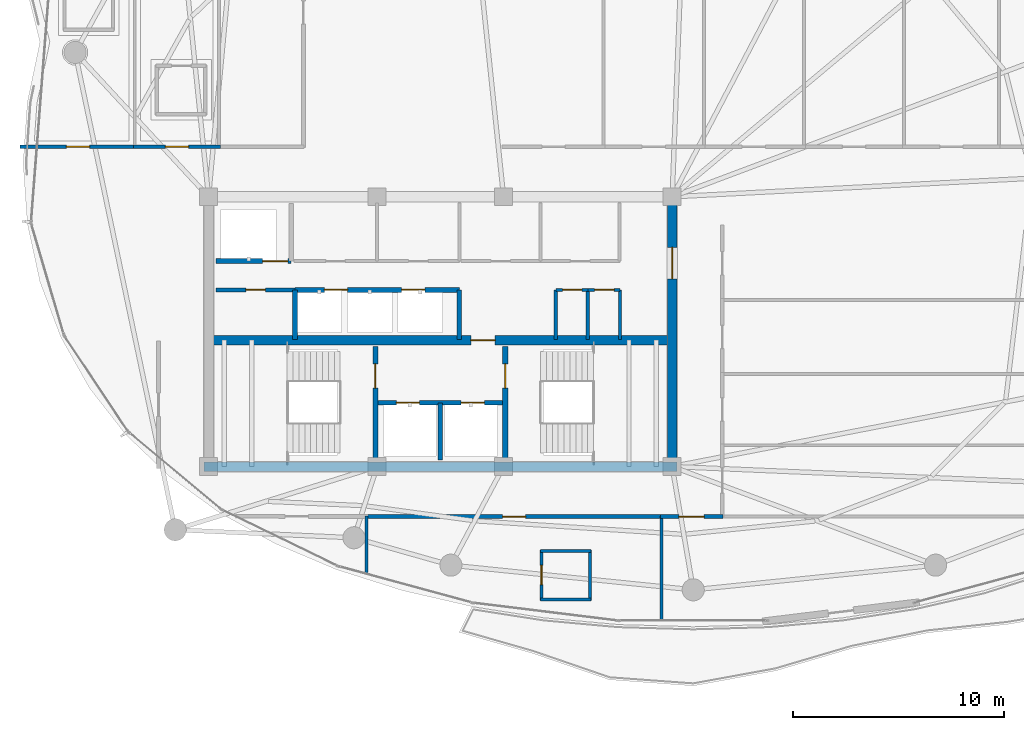
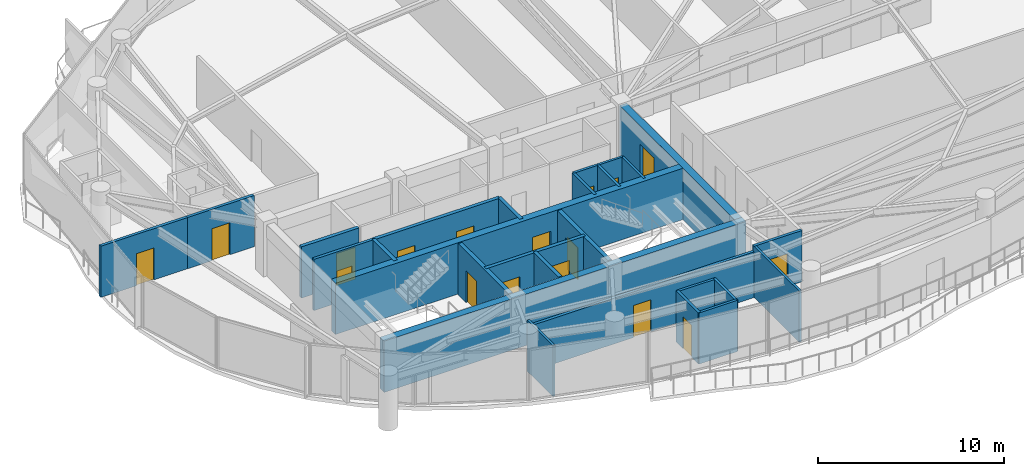
# One storey, part 25 of 31: 27 walls, 17 doors, 17 openings.
"""IFC4 building model written with IfcOpenShell, lengths in metres."""

from ifc_helpers import new_model, si_unit, direction, frame, frame_2d, origin, place, context, subcontext, project, spatial, rectangle, extrude, material, layer, layer_set, type_object, element, fill, save


model = new_model("IFC4")

# Units and contexts
model_context = context("Model", 3, precision=1e-05, world=origin(), true_north=direction((0.0, 1.0)))
body_context = subcontext(model_context, "Body", "Model", "MODEL_VIEW")
ifc_project = project(units=[si_unit("LENGTHUNIT", "METRE"), si_unit("AREAUNIT", "SQUARE_METRE"), si_unit("VOLUMEUNIT", "CUBIC_METRE"), si_unit("PLANEANGLEUNIT", "RADIAN"), si_unit("MASSUNIT", "GRAM", prefix="KILO")], contexts=[model_context])

# Site, building, storey
site_placement = place(None, origin())
site = spatial("IfcSite", under=ifc_project, at=site_placement, CompositionType="ELEMENT")
building_placement = place(site_placement, origin())
building = spatial("IfcBuilding", under=site, at=building_placement, Name="Kazevale Care Tower and Concert Hall", CompositionType="ELEMENT")
storey_placement = place(building_placement, frame((0.0, 0.0, 206.39990234375)))
storey = spatial("IfcBuildingStorey", under=building, at=storey_placement, Name="L54", CompositionType="ELEMENT", Elevation=206.39990234375)

# Wall
ifc_material_1 = material(Name="Acoustic Gypsum on Steel Stud", Category="steel")
ifc_layer_1 = layer(ifc_material_1, 0.139892578125)
ifc_layer_set_1 = layer_set([ifc_layer_1], Name="Acoustic Gypsum on Steel Stud")
wall_type_1 = type_object("IfcWallType", Name="Acoustic Care & Suite Partition 140", PredefinedType="PARTITIONING", material=ifc_layer_set_1)
wall_1_placement = place(storey_placement, frame((41.52001953125, 29.6201171875, 0.0), z_axis=(0.0, 0.0, 1.0), x_axis=(0.0, 1.0, 0.0)))
element("IfcWall", 1, at=wall_1_placement, inside=storey, type_object=wall_type_1, Name="wall:L54:ka_ee", PredefinedType="PARTITIONING", context=body_context, shape_type="SweptSolid", body=[
    extrude(rectangle(XDim=2.35986328125, YDim=0.139892578125, at=frame_2d((1.179931640625, 0.0))), origin(), (0.0, 0.0, 1.0), 3.360107421875),
])

# Wall, opening, door
wall_2_placement = place(storey_placement, frame((40.0, 31.97998046875, 0.0), z_axis=(0.0, 0.0, 1.0), x_axis=(1.0, 0.0, 0.0)))
wall_2 = element("IfcWall", 2, at=wall_2_placement, inside=storey, type_object=wall_type_1, Name="wall:L54:ka_en2", PredefinedType="PARTITIONING", context=body_context, shape_type="SweptSolid", body=[
    extrude(rectangle(XDim=1.52001953125, YDim=0.139892578125, at=frame_2d((0.760009765625, 0.0))), origin(), (0.0, 0.0, 1.0), 3.360107421875),
])
opening_1_placement = place(wall_2_placement, frame((0.320068359375, 0.0, 0.0)))
opening_1 = element("IfcOpeningElement", 3, at=opening_1_placement, cuts=wall_2, Name="Opening ID-900", PredefinedType="OPENING", context=body_context, shape_type="SweptSolid", body=[
    extrude(rectangle(XDim=0.919921875, YDim=2.10009765625, at=frame_2d((0.4599609375, 1.050048828125))), frame((0.0, 0.079833984375, 0.0), z_axis=(0.0, -1.0, 0.0), x_axis=(1.0, 0.0, 0.0)), (0.0, 0.0, 1.0), 0.159912109375),
])
ifc_material_2 = material(Name="Oak Timber Fire Leaf", Category="wood")
door_type_1 = type_object("IfcDoorType", Name="Bathroom & Service Door 920x2100", OperationType="NOTDEFINED", PredefinedType="DOOR", material=ifc_material_2)
door_1_placement = place(opening_1_placement, origin())
door_1 = element("IfcDoor", 4, at=door_1_placement, inside=storey, type_object=door_type_1, Name="door:L54:d_kae2", OperationType="SINGLE_SWING_RIGHT", OverallHeight=2.10009765625, OverallWidth=0.919921875, PredefinedType="DOOR", context=body_context, shape_type="SweptSolid", body=[
    extrude(rectangle(XDim=0.919921875, YDim=2.10009765625, at=frame_2d((0.4599609375, 1.050048828125))), frame((0.0, 0.02490234375, 0.0), z_axis=(0.0, -1.0, 0.0), x_axis=(1.0, 0.0, 0.0)), (0.0, 0.0, 1.0), 0.050048828125),
])
fill(opening_1, door_1)

# Walls
wall_3_placement = place(storey_placement, frame((29.5, 21.2548828125, 0.0), z_axis=(0.0, 0.0, 1.0), x_axis=(0.0, -1.0, 0.0)))
element("IfcWall", 5, at=wall_3_placement, inside=storey, type_object=wall_type_1, Name="wall:L54:auto_031", PredefinedType="PARTITIONING", context=body_context, shape_type="SweptSolid", body=[
    extrude(rectangle(XDim=2.7412109375, YDim=0.139892578125, at=frame_2d((1.37060546875, 0.0))), origin(), (0.0, 0.0, 1.0), 3.360107421875),
])
wall_4_placement = place(storey_placement, frame((43.5, 21.2548828125, 0.0), z_axis=(0.0, 0.0, 1.0), x_axis=(0.0, -1.0, 0.0)))
element("IfcWall", 6, at=wall_4_placement, inside=storey, type_object=wall_type_1, Name="wall:L54:auto_032", PredefinedType="PARTITIONING", context=body_context, shape_type="SweptSolid", body=[
    extrude(rectangle(XDim=4.9599609375, YDim=0.139892578125, at=frame_2d((2.47998046875, 0.0))), origin(), (0.0, 0.0, 1.0), 3.360107421875),
])
ifc_material_3 = material(Name="Concrete C50", Category="concrete")
ifc_layer_2 = layer(ifc_material_3, 0.449951171875)
ifc_layer_set_2 = layer_set([ifc_layer_2], Name="Concrete C50")
wall_type_2 = type_object("IfcWallType", Name="Core Shear Wall 450 C50", PredefinedType="SHEAR", material=ifc_layer_set_2)
wall_5_placement = place(storey_placement, frame((21.77490234375, 23.60009765625, 0.0), z_axis=(0.0, 0.0, 1.0), x_axis=(1.0, 0.0, 0.0)))
element("IfcWall", 7, at=wall_5_placement, inside=storey, type_object=wall_type_2, Name="wall:L54:core:S", PredefinedType="SHEAR", context=body_context, shape_type="SweptSolid", body=[
    extrude(rectangle(XDim=22.4501953125, YDim=0.449951171875, at=frame_2d((11.22509765625, 0.0))), origin(), (0.0, 0.0, 1.0), 3.360107421875),
])

# Wall, opening, door
wall_6_placement = place(storey_placement, frame((44.0, 23.824951171875, 0.0), z_axis=(0.0, 0.0, 1.0), x_axis=(0.0, 1.0, 0.0)))
wall_6 = element("IfcWall", 8, at=wall_6_placement, inside=storey, type_object=wall_type_2, Name="wall:L54:core:E", PredefinedType="SHEAR", context=body_context, shape_type="SweptSolid", body=[
    extrude(rectangle(XDim=12.35009765625, YDim=0.449951171875, at=frame_2d((6.175048828125, 0.0))), origin(), (0.0, 0.0, 1.0), 3.360107421875),
])
opening_2_placement = place(wall_6_placement, frame((8.675048828125, 0.0, 0.0)))
opening_2 = element("IfcOpeningElement", 9, at=opening_2_placement, cuts=wall_6, Name="Opening FD-60D", PredefinedType="OPENING", context=body_context, shape_type="SweptSolid", body=[
    extrude(rectangle(XDim=1.5, YDim=2.14990234375, at=frame_2d((0.75, 1.074951171875))), frame((0.0, 0.23486328125, 0.0), z_axis=(0.0, -1.0, 0.0), x_axis=(1.0, 0.0, 0.0)), (0.0, 0.0, 1.0), 0.469970703125),
])
door_type_2 = type_object("IfcDoorType", Name="Double Lobby & Auditorium Fire Door 1500x2150", OperationType="NOTDEFINED", PredefinedType="DOOR", material=ifc_material_2)
door_2_placement = place(opening_2_placement, origin())
door_2 = element("IfcDoor", 10, at=door_2_placement, inside=storey, type_object=door_type_2, Name="door:L54:core_east_out", OperationType="DOUBLE_DOOR_SINGLE_SWING", OverallHeight=2.14990234375, OverallWidth=1.5, PredefinedType="DOOR", context=body_context, shape_type="SweptSolid", body=[
    extrude(rectangle(XDim=1.5, YDim=2.14990234375, at=frame_2d((0.75, 1.074951171875))), frame((0.0, 0.02490234375, 0.0), z_axis=(0.0, -1.0, 0.0), x_axis=(1.0, 0.0, 0.0)), (0.0, 0.0, 1.0), 0.050048828125),
])
fill(opening_2, door_2)

wall_7_placement = place(storey_placement, frame((22.22509765625, 29.60009765625, 0.0), z_axis=(0.0, 0.0, 1.0), x_axis=(1.0, 0.0, 0.0)))
wall_7 = element("IfcWall", 11, at=wall_7_placement, inside=storey, type_object=wall_type_2, Name="wall:L54:core:M", PredefinedType="SHEAR", context=body_context, shape_type="SweptSolid", body=[
    extrude(rectangle(XDim=21.5498046875, YDim=0.449951171875, at=frame_2d((10.77490234375, 0.0))), origin(), (0.0, 0.0, 1.0), 3.360107421875),
])
opening_3_placement = place(wall_7_placement, frame((12.22509765625, 0.0, 0.0)))
opening_3 = element("IfcOpeningElement", 12, at=opening_3_placement, cuts=wall_7, Name="Opening FD-90", PredefinedType="OPENING", context=body_context, shape_type="SweptSolid", body=[
    extrude(rectangle(XDim=1.14990234375, YDim=2.10009765625, at=frame_2d((0.574951171875, 1.050048828125))), frame((0.0, 0.23486328125, 0.0), z_axis=(0.0, -1.0, 0.0), x_axis=(1.0, 0.0, 0.0)), (0.0, 0.0, 1.0), 0.469970703125),
])
ifc_material_4 = material(Name="Steel ASTM A572 Gr 50", Category="steel")
door_type_3 = type_object("IfcDoorType", Name="Pressurized Stair & Lobby Fire Door 1150x2100", OperationType="NOTDEFINED", PredefinedType="DOOR", material=ifc_material_4)
door_3_placement = place(opening_3_placement, origin())
door_3 = element("IfcDoor", 13, at=door_3_placement, inside=storey, type_object=door_type_3, Name="door:L54:ff_to_pax", OperationType="SINGLE_SWING_LEFT", OverallHeight=2.10009765625, OverallWidth=1.14990234375, PredefinedType="DOOR", context=body_context, shape_type="SweptSolid", body=[
    extrude(rectangle(XDim=1.14990234375, YDim=2.10009765625, at=frame_2d((0.574951171875, 1.050048828125))), frame((0.0, 0.02490234375, 0.0), z_axis=(0.0, -1.0, 0.0), x_axis=(1.0, 0.0, 0.0)), (0.0, 0.0, 1.0), 0.050048828125),
])
fill(opening_3, door_3)

# Wall, openings, doors
ifc_material_5 = material(Name="Concrete C40", Category="concrete")
ifc_layer_3 = layer(ifc_material_5, 0.219970703125)
ifc_layer_set_3 = layer_set([ifc_layer_3], Name="Concrete C40")
wall_type_3 = type_object("IfcWallType", Name="Elevator Hoistway Shaft Wall 220", PredefinedType="SOLIDWALL", material=ifc_layer_set_3)
wall_8_placement = place(storey_placement, frame((29.919921875, 26.6201171875, 0.0), z_axis=(0.0, 0.0, 1.0), x_axis=(1.0, 0.0, 0.0)))
wall_8 = element("IfcWall", 14, at=wall_8_placement, inside=storey, type_object=wall_type_3, Name="wall:L54:c_ffl_n", PredefinedType="SOLIDWALL", context=body_context, shape_type="SweptSolid", body=[
    extrude(rectangle(XDim=6.16015625, YDim=0.219970703125, at=frame_2d((3.080078125, 0.0))), origin(), (0.0, 0.0, 1.0), 3.360107421875),
])
opening_4_placement = place(wall_8_placement, frame((0.989990234375, 0.0, 0.0)))
opening_4 = element("IfcOpeningElement", 15, at=opening_4_placement, cuts=wall_8, Name="Opening LD-FF", PredefinedType="OPENING", context=body_context, shape_type="SweptSolid", body=[
    extrude(rectangle(XDim=1.10009765625, YDim=2.10009765625, at=frame_2d((0.550048828125, 1.050048828125))), frame((0.0, 0.119873046875, 0.0), z_axis=(0.0, -1.0, 0.0), x_axis=(1.0, 0.0, 0.0)), (0.0, 0.0, 1.0), 0.239990234375),
])
opening_5_placement = place(wall_8_placement, frame((4.070068359375, 0.0, 0.0)))
opening_5 = element("IfcOpeningElement", 16, at=opening_5_placement, cuts=wall_8, Name="Opening LD-FF", PredefinedType="OPENING", context=body_context, shape_type="SweptSolid", body=[
    extrude(rectangle(XDim=1.10009765625, YDim=2.10009765625, at=frame_2d((0.550048828125, 1.050048828125))), frame((0.0, 0.119873046875, 0.0), z_axis=(0.0, -1.0, 0.0), x_axis=(1.0, 0.0, 0.0)), (0.0, 0.0, 1.0), 0.239990234375),
])
ifc_material_6 = material(Name="Stainless Steel 316", Category="steel")
door_type_4 = type_object("IfcDoorType", Name="Emergency Lift Sliding Landing Door 1100x2100", OperationType="NOTDEFINED", PredefinedType="DOOR", material=ifc_material_6)
door_4_placement = place(opening_4_placement, origin())
door_4 = element("IfcDoor", 17, at=door_4_placement, inside=storey, type_object=door_type_4, Name="door:L54:ld_ffl1", OperationType="SLIDING_TO_LEFT", OverallHeight=2.10009765625, OverallWidth=1.10009765625, PredefinedType="DOOR", context=body_context, shape_type="SweptSolid", body=[
    extrude(rectangle(XDim=1.10009765625, YDim=2.10009765625, at=frame_2d((0.550048828125, 1.050048828125))), frame((0.0, 0.02490234375, 0.0), z_axis=(0.0, -1.0, 0.0), x_axis=(1.0, 0.0, 0.0)), (0.0, 0.0, 1.0), 0.050048828125),
])
fill(opening_4, door_4)
door_5_placement = place(opening_5_placement, origin())
door_5 = element("IfcDoor", 18, at=door_5_placement, inside=storey, type_object=door_type_4, Name="door:L54:ld_ffl2", OperationType="SLIDING_TO_RIGHT", OverallHeight=2.10009765625, OverallWidth=1.10009765625, PredefinedType="DOOR", context=body_context, shape_type="SweptSolid", body=[
    extrude(rectangle(XDim=1.10009765625, YDim=2.10009765625, at=frame_2d((0.550048828125, 1.050048828125))), frame((0.0, 0.02490234375, 0.0), z_axis=(0.0, -1.0, 0.0), x_axis=(1.0, 0.0, 0.0)), (0.0, 0.0, 1.0), 0.050048828125),
])
fill(opening_5, door_5)

# Wall
wall_9_placement = place(storey_placement, frame((33.0, 23.89990234375, 0.0), z_axis=(0.0, 0.0, 1.0), x_axis=(0.0, 1.0, 0.0)))
element("IfcWall", 19, at=wall_9_placement, inside=storey, type_object=wall_type_3, Name="wall:L54:c_ffl_m", PredefinedType="SOLIDWALL", context=body_context, shape_type="SweptSolid", body=[
    extrude(rectangle(XDim=2.72021484375, YDim=0.219970703125, at=frame_2d((1.360107421875, 0.0))), origin(), (0.0, 0.0, 1.0), 3.360107421875),
])

# Wall, opening, door
wall_10_placement = place(storey_placement, frame((22.35009765625, 33.35009765625, 0.0), z_axis=(0.0, 0.0, 1.0), x_axis=(1.0, 0.0, 0.0)))
wall_10 = element("IfcWall", 20, at=wall_10_placement, inside=storey, type_object=wall_type_3, Name="wall:L54:c_svl_s", PredefinedType="SOLIDWALL", context=body_context, shape_type="SweptSolid", body=[
    extrude(rectangle(XDim=3.56982421875, YDim=0.219970703125, at=frame_2d((1.784912109375, 0.0))), origin(), (0.0, 0.0, 1.0), 3.360107421875),
])
opening_6_placement = place(wall_10_placement, frame((2.212890625, 0.0, 0.0)))
opening_6 = element("IfcOpeningElement", 21, at=opening_6_placement, cuts=wall_10, Name="Opening LD-SV", PredefinedType="OPENING", context=body_context, shape_type="SweptSolid", body=[
    extrude(rectangle(XDim=1.199951171875, YDim=2.10009765625, at=frame_2d((0.60009765625, 1.050048828125))), frame((0.0, 0.119873046875, 0.0), z_axis=(0.0, -1.0, 0.0), x_axis=(1.0, 0.0, 0.0)), (0.0, 0.0, 1.0), 0.239990234375),
])
door_type_5 = type_object("IfcDoorType", Name="Service Lift Sliding Landing Door 1200x2100", OperationType="NOTDEFINED", PredefinedType="DOOR", material=ifc_material_6)
door_6_placement = place(opening_6_placement, origin())
door_6 = element("IfcDoor", 22, at=door_6_placement, inside=storey, type_object=door_type_5, Name="door:L54:ld_svl1", OperationType="SLIDING_TO_LEFT", OverallHeight=2.10009765625, OverallWidth=1.199951171875, PredefinedType="DOOR", context=body_context, shape_type="SweptSolid", body=[
    extrude(rectangle(XDim=1.199951171875, YDim=2.10009765625, at=frame_2d((0.60009765625, 1.050048828125))), frame((0.0, 0.02490234375, 0.0), z_axis=(0.0, -1.0, 0.0), x_axis=(1.0, 0.0, 0.0)), (0.0, 0.0, 1.0), 0.050048828125),
])
fill(opening_6, door_6)

# Wall
wall_11_placement = place(storey_placement, frame((26.10009765625, 29.6201171875, 0.0), z_axis=(0.0, 0.0, 1.0), x_axis=(0.0, 1.0, 0.0)))
element("IfcWall", 23, at=wall_11_placement, inside=storey, type_object=wall_type_3, Name="wall:L54:c_ph_w", PredefinedType="SOLIDWALL", context=body_context, shape_type="SweptSolid", body=[
    extrude(rectangle(XDim=2.35986328125, YDim=0.219970703125, at=frame_2d((1.179931640625, 0.0))), origin(), (0.0, 0.0, 1.0), 3.360107421875),
])

# Wall, openings, doors
wall_12_placement = place(storey_placement, frame((26.10009765625, 31.97998046875, 0.0), z_axis=(0.0, 0.0, 1.0), x_axis=(1.0, 0.0, 0.0)))
wall_12 = element("IfcWall", 24, at=wall_12_placement, inside=storey, type_object=wall_type_3, Name="wall:L54:c_ph_n", PredefinedType="SOLIDWALL", context=body_context, shape_type="SweptSolid", body=[
    extrude(rectangle(XDim=7.7998046875, YDim=0.219970703125, at=frame_2d((3.89990234375, 0.0))), origin(), (0.0, 0.0, 1.0), 3.360107421875),
])
opening_7_placement = place(wall_12_placement, frame((1.39990234375, 0.0, 0.0)))
opening_7 = element("IfcOpeningElement", 25, at=opening_7_placement, cuts=wall_12, Name="Opening LD-PAX", PredefinedType="OPENING", context=body_context, shape_type="SweptSolid", body=[
    extrude(rectangle(XDim=1.10009765625, YDim=2.10009765625, at=frame_2d((0.550048828125, 1.050048828125))), frame((0.0, 0.119873046875, 0.0), z_axis=(0.0, -1.0, 0.0), x_axis=(1.0, 0.0, 0.0)), (0.0, 0.0, 1.0), 0.239990234375),
])
opening_8_placement = place(wall_12_placement, frame((5.06591796875, 0.0, 0.0)))
opening_8 = element("IfcOpeningElement", 26, at=opening_8_placement, cuts=wall_12, Name="Opening LD-PAX", PredefinedType="OPENING", context=body_context, shape_type="SweptSolid", body=[
    extrude(rectangle(XDim=1.10009765625, YDim=2.10009765625, at=frame_2d((0.550048828125, 1.050048828125))), frame((0.0, 0.119873046875, 0.0), z_axis=(0.0, -1.0, 0.0), x_axis=(1.0, 0.0, 0.0)), (0.0, 0.0, 1.0), 0.239990234375),
])
door_type_6 = type_object("IfcDoorType", Name="Passenger Lift Sliding Landing Door 1100x2100", OperationType="NOTDEFINED", PredefinedType="DOOR", material=ifc_material_6)
door_7_placement = place(opening_7_placement, origin())
door_7 = element("IfcDoor", 27, at=door_7_placement, inside=storey, type_object=door_type_6, Name="door:L54:ld_ph1", OperationType="SLIDING_TO_LEFT", OverallHeight=2.10009765625, OverallWidth=1.10009765625, PredefinedType="DOOR", context=body_context, shape_type="SweptSolid", body=[
    extrude(rectangle(XDim=1.10009765625, YDim=2.10009765625, at=frame_2d((0.550048828125, 1.050048828125))), frame((0.0, 0.02490234375, 0.0), z_axis=(0.0, -1.0, 0.0), x_axis=(1.0, 0.0, 0.0)), (0.0, 0.0, 1.0), 0.050048828125),
])
fill(opening_7, door_7)
door_8_placement = place(opening_8_placement, origin())
door_8 = element("IfcDoor", 28, at=door_8_placement, inside=storey, type_object=door_type_6, Name="door:L54:ld_ph2", OperationType="SLIDING_TO_RIGHT", OverallHeight=2.10009765625, OverallWidth=1.10009765625, PredefinedType="DOOR", context=body_context, shape_type="SweptSolid", body=[
    extrude(rectangle(XDim=1.10009765625, YDim=2.10009765625, at=frame_2d((0.550048828125, 1.050048828125))), frame((0.0, 0.02490234375, 0.0), z_axis=(0.0, -1.0, 0.0), x_axis=(1.0, 0.0, 0.0)), (0.0, 0.0, 1.0), 0.050048828125),
])
fill(opening_8, door_8)

# Wall
wall_13_placement = place(storey_placement, frame((33.89990234375, 29.6201171875, 0.0), z_axis=(0.0, 0.0, 1.0), x_axis=(0.0, 1.0, 0.0)))
element("IfcWall", 29, at=wall_13_placement, inside=storey, type_object=wall_type_3, Name="wall:L54:c_ph_e", PredefinedType="SOLIDWALL", context=body_context, shape_type="SweptSolid", body=[
    extrude(rectangle(XDim=2.35986328125, YDim=0.219970703125, at=frame_2d((1.179931640625, 0.0))), origin(), (0.0, 0.0, 1.0), 3.360107421875),
])

# Wall, opening, door
ifc_material_7 = material(Name="Concrete C40 and Acoustic Gypsum", Category="concrete")
ifc_layer_4 = layer(ifc_material_7, 0.179931640625)
ifc_layer_set_4 = layer_set([ifc_layer_4], Name="Concrete C40 and Acoustic Gypsum")
wall_type_4 = type_object("IfcWallType", Name="Fire-Rated Corridor & Party Wall 180", PredefinedType="PARTITIONING", material=ifc_layer_set_4)
wall_14_placement = place(storey_placement, frame((22.35009765625, 31.97998046875, 0.0), z_axis=(0.0, 0.0, 1.0), x_axis=(1.0, 0.0, 0.0)))
wall_14 = element("IfcWall", 30, at=wall_14_placement, inside=storey, type_object=wall_type_4, Name="wall:L54:ka_wn1", PredefinedType="PARTITIONING", context=body_context, shape_type="SweptSolid", body=[
    extrude(rectangle(XDim=3.75, YDim=0.179931640625, at=frame_2d((1.875, 0.0))), origin(), (0.0, 0.0, 1.0), 3.360107421875),
])
opening_9_placement = place(wall_14_placement, frame((1.425048828125, 0.0, 0.0)))
opening_9 = element("IfcOpeningElement", 31, at=opening_9_placement, cuts=wall_14, Name="Opening ID-900", PredefinedType="OPENING", context=body_context, shape_type="SweptSolid", body=[
    extrude(rectangle(XDim=0.919921875, YDim=2.10009765625, at=frame_2d((0.4599609375, 1.050048828125))), frame((0.0, 0.099853515625, 0.0), z_axis=(0.0, -1.0, 0.0), x_axis=(1.0, 0.0, 0.0)), (0.0, 0.0, 1.0), 0.199951171875),
])
door_9_placement = place(opening_9_placement, origin())
door_9 = element("IfcDoor", 32, at=door_9_placement, inside=storey, type_object=door_type_1, Name="door:L54:d_kaw", OperationType="SINGLE_SWING_LEFT", OverallHeight=2.10009765625, OverallWidth=0.919921875, PredefinedType="DOOR", context=body_context, shape_type="SweptSolid", body=[
    extrude(rectangle(XDim=0.919921875, YDim=2.10009765625, at=frame_2d((0.4599609375, 1.050048828125))), frame((0.0, 0.02490234375, 0.0), z_axis=(0.0, -1.0, 0.0), x_axis=(1.0, 0.0, 0.0)), (0.0, 0.0, 1.0), 0.050048828125),
])
fill(opening_9, door_9)

wall_15_placement = place(storey_placement, frame((13.053955078125, 38.77490234375, 0.0), z_axis=(0.0, 0.0, 1.0), x_axis=(1.0, 0.0, 0.0)))
wall_15 = element("IfcWall", 33, at=wall_15_placement, inside=storey, type_object=wall_type_4, Name="wall:L54:auto_001", PredefinedType="PARTITIONING", context=body_context, shape_type="SweptSolid", body=[
    extrude(rectangle(XDim=5.510986328125, YDim=0.179931640625, at=frame_2d((2.75537109375, 0.0))), origin(), (0.0, 0.0, 1.0), 3.360107421875),
])
opening_10_placement = place(wall_15_placement, frame((2.205078125, 0.0, 0.0)))
opening_10 = element("IfcOpeningElement", 34, at=opening_10_placement, cuts=wall_15, Name="Opening ID-1100", PredefinedType="OPENING", context=body_context, shape_type="SweptSolid", body=[
    extrude(rectangle(XDim=1.10009765625, YDim=2.10009765625, at=frame_2d((0.550048828125, 1.050048828125))), frame((0.0, 0.099853515625, 0.0), z_axis=(0.0, -1.0, 0.0), x_axis=(1.0, 0.0, 0.0)), (0.0, 0.0, 1.0), 0.199951171875),
])
door_type_7 = type_object("IfcDoorType", Name="Care Bedroom Accessible Door 1100x2100", OperationType="NOTDEFINED", PredefinedType="DOOR", material=ifc_material_2)
door_10_placement = place(opening_10_placement, origin())
door_10 = element("IfcDoor", 35, at=door_10_placement, inside=storey, type_object=door_type_7, Name="door:L54:ad_001", OperationType="SINGLE_SWING_LEFT", OverallHeight=2.10009765625, OverallWidth=1.10009765625, PredefinedType="DOOR", context=body_context, shape_type="SweptSolid", body=[
    extrude(rectangle(XDim=1.10009765625, YDim=2.10009765625, at=frame_2d((0.550048828125, 1.050048828125))), frame((0.0, 0.02490234375, 0.0), z_axis=(0.0, -1.0, 0.0), x_axis=(1.0, 0.0, 0.0)), (0.0, 0.0, 1.0), 0.050048828125),
])
fill(opening_10, door_10)

wall_16_placement = place(storey_placement, frame((18.43505859375, 38.77490234375, 0.0), z_axis=(0.0, 0.0, 1.0), x_axis=(1.0, 0.0, 0.0)))
wall_16 = element("IfcWall", 36, at=wall_16_placement, inside=storey, type_object=wall_type_4, Name="wall:L54:auto_002", PredefinedType="PARTITIONING", context=body_context, shape_type="SweptSolid", body=[
    extrude(rectangle(XDim=4.1298828125, YDim=0.179931640625, at=frame_2d((2.06494140625, 0.0))), origin(), (0.0, 0.0, 1.0), 3.360107421875),
])
opening_11_placement = place(wall_16_placement, frame((1.514892578125, 0.0, 0.0)))
opening_11 = element("IfcOpeningElement", 37, at=opening_11_placement, cuts=wall_16, Name="Opening ID-1100", PredefinedType="OPENING", context=body_context, shape_type="SweptSolid", body=[
    extrude(rectangle(XDim=1.10009765625, YDim=2.10009765625, at=frame_2d((0.550048828125, 1.050048828125))), frame((0.0, 0.099853515625, 0.0), z_axis=(0.0, -1.0, 0.0), x_axis=(1.0, 0.0, 0.0)), (0.0, 0.0, 1.0), 0.199951171875),
])
door_11_placement = place(opening_11_placement, origin())
door_11 = element("IfcDoor", 38, at=door_11_placement, inside=storey, type_object=door_type_7, Name="door:L54:ad_002", OperationType="SINGLE_SWING_LEFT", OverallHeight=2.10009765625, OverallWidth=1.10009765625, PredefinedType="DOOR", context=body_context, shape_type="SweptSolid", body=[
    extrude(rectangle(XDim=1.10009765625, YDim=2.10009765625, at=frame_2d((0.550048828125, 1.050048828125))), frame((0.0, 0.02490234375, 0.0), z_axis=(0.0, -1.0, 0.0), x_axis=(1.0, 0.0, 0.0)), (0.0, 0.0, 1.0), 0.050048828125),
])
fill(opening_11, door_11)

wall_17_placement = place(storey_placement, frame((43.56494140625, 21.22509765625, 0.0), z_axis=(0.0, 0.0, 1.0), x_axis=(-1.0, 0.0, 0.0)))
wall_17 = element("IfcWall", 39, at=wall_17_placement, inside=storey, type_object=wall_type_4, Name="wall:L54:auto_016", PredefinedType="PARTITIONING", context=body_context, shape_type="SweptSolid", body=[
    extrude(rectangle(XDim=14.1298828125, YDim=0.179931640625, at=frame_2d((7.06494140625, 0.0))), origin(), (0.0, 0.0, 1.0), 2.99609375),
])
opening_12_placement = place(wall_17_placement, frame((6.514892578125, 0.0, 0.0)))
opening_12 = element("IfcOpeningElement", 40, at=opening_12_placement, cuts=wall_17, Name="Opening ID-1100", PredefinedType="OPENING", context=body_context, shape_type="SweptSolid", body=[
    extrude(rectangle(XDim=1.10009765625, YDim=2.10009765625, at=frame_2d((0.550048828125, 1.050048828125))), frame((0.0, 0.099853515625, 0.0), z_axis=(0.0, -1.0, 0.0), x_axis=(1.0, 0.0, 0.0)), (0.0, 0.0, 1.0), 0.199951171875),
])
door_12_placement = place(opening_12_placement, origin())
door_12 = element("IfcDoor", 41, at=door_12_placement, inside=storey, type_object=door_type_7, Name="door:L54:ad_016", OperationType="SINGLE_SWING_LEFT", OverallHeight=2.10009765625, OverallWidth=1.10009765625, PredefinedType="DOOR", context=body_context, shape_type="SweptSolid", body=[
    extrude(rectangle(XDim=1.10009765625, YDim=2.10009765625, at=frame_2d((0.550048828125, 1.050048828125))), frame((0.0, 0.02490234375, 0.0), z_axis=(0.0, -1.0, 0.0), x_axis=(1.0, 0.0, 0.0)), (0.0, 0.0, 1.0), 0.050048828125),
])
fill(opening_12, door_12)

wall_18_placement = place(storey_placement, frame((46.405029296875, 21.22509765625, 0.0), z_axis=(0.0, 0.0, 1.0), x_axis=(-1.0, 0.0, 0.0)))
wall_18 = element("IfcWall", 42, at=wall_18_placement, inside=storey, type_object=wall_type_4, Name="wall:L54:auto_017", PredefinedType="PARTITIONING", context=body_context, shape_type="SweptSolid", body=[
    extrude(rectangle(XDim=2.969970703125, YDim=0.179931640625, at=frame_2d((1.48486328125, 0.0))), origin(), (0.0, 0.0, 1.0), 3.360107421875),
])
opening_13_placement = place(wall_18_placement, frame((0.885009765625, 0.0, 0.0)))
opening_13 = element("IfcOpeningElement", 43, at=opening_13_placement, cuts=wall_18, Name="Opening ID-1200", PredefinedType="OPENING", context=body_context, shape_type="SweptSolid", body=[
    extrude(rectangle(XDim=1.199951171875, YDim=2.14990234375, at=frame_2d((0.60009765625, 1.074951171875))), frame((0.0, 0.099853515625, 0.0), z_axis=(0.0, -1.0, 0.0), x_axis=(1.0, 0.0, 0.0)), (0.0, 0.0, 1.0), 0.199951171875),
])
door_type_8 = type_object("IfcDoorType", Name="Clinical & Therapy Door 1200x2150", OperationType="NOTDEFINED", PredefinedType="DOOR", material=ifc_material_2)
door_13_placement = place(opening_13_placement, origin())
door_13 = element("IfcDoor", 44, at=door_13_placement, inside=storey, type_object=door_type_8, Name="door:L54:ad_017", OperationType="SINGLE_SWING_LEFT", OverallHeight=2.14990234375, OverallWidth=1.199951171875, PredefinedType="DOOR", context=body_context, shape_type="SweptSolid", body=[
    extrude(rectangle(XDim=1.199951171875, YDim=2.14990234375, at=frame_2d((0.60009765625, 1.074951171875))), frame((0.0, 0.02490234375, 0.0), z_axis=(0.0, -1.0, 0.0), x_axis=(1.0, 0.0, 0.0)), (0.0, 0.0, 1.0), 0.050048828125),
])
fill(opening_13, door_13)

# Walls
ifc_layer_5 = layer(ifc_material_1, 0.159912109375)
ifc_layer_set_5 = layer_set([ifc_layer_5], Name="Acoustic Gypsum on Steel Stud")
wall_type_5 = type_object("IfcWallType", Name="Moisture-Resistant Bathroom Plumbing Wall 160", PredefinedType="PLUMBINGWALL", material=ifc_layer_set_5)
for number, where, z_axis, x_axis, name in (
    (45, (38.47998046875, 29.6201171875, 0.0), (0.0, 0.0, 1.0), (0.0, 1.0, 0.0), "wall:L54:ka_ew"),
    (46, (40.0, 29.6201171875, 0.0), (0.0, 0.0, 1.0), (0.0, 1.0, 0.0), "wall:L54:ka_em"),
):
    element("IfcWall", number, at=place(storey_placement, frame(where, z_axis=z_axis, x_axis=x_axis)), inside=storey, type_object=wall_type_5, Name=name, PredefinedType="PLUMBINGWALL", context=body_context, shape_type="SweptSolid", body=[
        extrude(rectangle(XDim=2.35986328125, YDim=0.159912109375, at=frame_2d((1.179931640625, 0.0))), origin(), (0.0, 0.0, 1.0), 3.360107421875),
    ])

# Wall, opening, door
wall_19_placement = place(storey_placement, frame((38.47998046875, 31.97998046875, 0.0), z_axis=(0.0, 0.0, 1.0), x_axis=(1.0, 0.0, 0.0)))
wall_19 = element("IfcWall", 47, at=wall_19_placement, inside=storey, type_object=wall_type_5, Name="wall:L54:ka_en1", PredefinedType="PLUMBINGWALL", context=body_context, shape_type="SweptSolid", body=[
    extrude(rectangle(XDim=1.52001953125, YDim=0.159912109375, at=frame_2d((0.760009765625, 0.0))), origin(), (0.0, 0.0, 1.0), 3.360107421875),
])
opening_14_placement = place(wall_19_placement, frame((0.320068359375, 0.0, 0.0)))
opening_14 = element("IfcOpeningElement", 48, at=opening_14_placement, cuts=wall_19, Name="Opening ID-900", PredefinedType="OPENING", context=body_context, shape_type="SweptSolid", body=[
    extrude(rectangle(XDim=0.919921875, YDim=2.10009765625, at=frame_2d((0.4599609375, 1.050048828125))), frame((0.0, 0.08984375, 0.0), z_axis=(0.0, -1.0, 0.0), x_axis=(1.0, 0.0, 0.0)), (0.0, 0.0, 1.0), 0.179931640625),
])
door_14_placement = place(opening_14_placement, origin())
door_14 = element("IfcDoor", 49, at=door_14_placement, inside=storey, type_object=door_type_1, Name="door:L54:d_kae1", OperationType="SINGLE_SWING_LEFT", OverallHeight=2.10009765625, OverallWidth=0.919921875, PredefinedType="DOOR", context=body_context, shape_type="SweptSolid", body=[
    extrude(rectangle(XDim=0.919921875, YDim=2.10009765625, at=frame_2d((0.4599609375, 1.050048828125))), frame((0.0, 0.02490234375, 0.0), z_axis=(0.0, -1.0, 0.0), x_axis=(1.0, 0.0, 0.0)), (0.0, 0.0, 1.0), 0.050048828125),
])
fill(opening_14, door_14)

# Walls
for number, where, z_axis, x_axis, name in (
    (50, (37.760009765625, 17.291015625, 0.0), (0.0, 0.0, 1.0), (1.0, 0.0, 0.0), "wall:L54:sb2_ens_ws"),
    (51, (37.760009765625, 19.591064453125, 0.0), (0.0, 0.0, 1.0), (1.0, 0.0, 0.0), "wall:L54:sb2_ens_wn"),
):
    element("IfcWall", number, at=place(storey_placement, frame(where, z_axis=z_axis, x_axis=x_axis)), inside=storey, type_object=wall_type_5, Name=name, PredefinedType="PLUMBINGWALL", context=body_context, shape_type="SweptSolid", body=[
        extrude(rectangle(XDim=2.3798828125, YDim=0.159912109375, at=frame_2d((1.18994140625, 0.0))), origin(), (0.0, 0.0, 1.0), 3.360107421875),
    ])

# Wall, opening, door
wall_20_placement = place(storey_placement, frame((37.800048828125, 17.2509765625, 0.0), z_axis=(0.0, 0.0, 1.0), x_axis=(0.0, 1.0, 0.0)))
wall_20 = element("IfcWall", 52, at=wall_20_placement, inside=storey, type_object=wall_type_5, Name="wall:L54:sb2_ens_ww", PredefinedType="PLUMBINGWALL", context=body_context, shape_type="SweptSolid", body=[
    extrude(rectangle(XDim=2.380126953125, YDim=0.159912109375, at=frame_2d((1.18994140625, 0.0))), origin(), (0.0, 0.0, 1.0), 3.360107421875),
])
opening_15_placement = place(wall_20_placement, frame((0.739990234375, 0.0, 0.0)))
opening_15 = element("IfcOpeningElement", 53, at=opening_15_placement, cuts=wall_20, Name="Opening ID-900", PredefinedType="OPENING", context=body_context, shape_type="SweptSolid", body=[
    extrude(rectangle(XDim=0.919921875, YDim=2.10009765625, at=frame_2d((0.4599609375, 1.050048828125))), frame((0.0, 0.08984375, 0.0), z_axis=(0.0, -1.0, 0.0), x_axis=(1.0, 0.0, 0.0)), (0.0, 0.0, 1.0), 0.179931640625),
])
door_15_placement = place(opening_15_placement, origin())
door_15 = element("IfcDoor", 54, at=door_15_placement, inside=storey, type_object=door_type_1, Name="door:L54:sb2_ens_d", OperationType="SINGLE_SWING_LEFT", OverallHeight=2.10009765625, OverallWidth=0.919921875, PredefinedType="DOOR", context=body_context, shape_type="SweptSolid", body=[
    extrude(rectangle(XDim=0.919921875, YDim=2.10009765625, at=frame_2d((0.4599609375, 1.050048828125))), frame((0.0, 0.02490234375, 0.0), z_axis=(0.0, -1.0, 0.0), x_axis=(1.0, 0.0, 0.0)), (0.0, 0.0, 1.0), 0.050048828125),
])
fill(opening_15, door_15)

# Wall
wall_21_placement = place(storey_placement, frame((40.10009765625, 17.2509765625, 0.0), z_axis=(0.0, 0.0, 1.0), x_axis=(0.0, 1.0, 0.0)))
element("IfcWall", 55, at=wall_21_placement, inside=storey, type_object=wall_type_5, Name="wall:L54:sb2_ens_we", PredefinedType="PLUMBINGWALL", context=body_context, shape_type="SweptSolid", body=[
    extrude(rectangle(XDim=2.380126953125, YDim=0.159912109375, at=frame_2d((1.18994140625, 0.0))), origin(), (0.0, 0.0, 1.0), 3.360107421875),
])

# Wall, opening, door
ifc_layer_6 = layer(ifc_material_5, 0.25)
ifc_layer_set_6 = layer_set([ifc_layer_6], Name="Concrete C40")
wall_type_6 = type_object("IfcWallType", Name="Pressurized Stair Shaft Wall 250", PredefinedType="SOLIDWALL", material=ifc_layer_set_6)
wall_22_placement = place(storey_placement, frame((29.919921875, 23.89990234375, 0.0), z_axis=(0.0, 0.0, 1.0), x_axis=(0.0, 1.0, 0.0)))
wall_22 = element("IfcWall", 56, at=wall_22_placement, inside=storey, type_object=wall_type_6, Name="wall:L54:c_st1_e", PredefinedType="SOLIDWALL", context=body_context, shape_type="SweptSolid", body=[
    extrude(rectangle(XDim=5.400146484375, YDim=0.25, at=frame_2d((2.7001953125, 0.0))), origin(), (0.0, 0.0, 1.0), 3.360107421875),
])
opening_16_placement = place(wall_22_placement, frame((3.4208984375, 0.0, 0.0)))
opening_16 = element("IfcOpeningElement", 57, at=opening_16_placement, cuts=wall_22, Name="Opening FD-90", PredefinedType="OPENING", context=body_context, shape_type="SweptSolid", body=[
    extrude(rectangle(XDim=1.14990234375, YDim=2.10009765625, at=frame_2d((0.574951171875, 1.050048828125))), frame((0.0, 0.135009765625, 0.0), z_axis=(0.0, -1.0, 0.0), x_axis=(1.0, 0.0, 0.0)), (0.0, 0.0, 1.0), 0.27001953125),
])
door_16_placement = place(opening_16_placement, origin())
door_16 = element("IfcDoor", 58, at=door_16_placement, inside=storey, type_object=door_type_3, Name="door:L54:st1", OperationType="SINGLE_SWING_RIGHT", OverallHeight=2.10009765625, OverallWidth=1.14990234375, PredefinedType="DOOR", context=body_context, shape_type="SweptSolid", body=[
    extrude(rectangle(XDim=1.14990234375, YDim=2.10009765625, at=frame_2d((0.574951171875, 1.050048828125))), frame((0.0, 0.02490234375, 0.0), z_axis=(0.0, -1.0, 0.0), x_axis=(1.0, 0.0, 0.0)), (0.0, 0.0, 1.0), 0.050048828125),
])
fill(opening_16, door_16)

wall_23_placement = place(storey_placement, frame((36.080078125, 23.89990234375, 0.0), z_axis=(0.0, 0.0, 1.0), x_axis=(0.0, 1.0, 0.0)))
wall_23 = element("IfcWall", 59, at=wall_23_placement, inside=storey, type_object=wall_type_6, Name="wall:L54:c_st2_w", PredefinedType="SOLIDWALL", context=body_context, shape_type="SweptSolid", body=[
    extrude(rectangle(XDim=5.400146484375, YDim=0.25, at=frame_2d((2.7001953125, 0.0))), origin(), (0.0, 0.0, 1.0), 3.360107421875),
])
opening_17_placement = place(wall_23_placement, frame((3.4208984375, 0.0, 0.0)))
opening_17 = element("IfcOpeningElement", 60, at=opening_17_placement, cuts=wall_23, Name="Opening FD-90", PredefinedType="OPENING", context=body_context, shape_type="SweptSolid", body=[
    extrude(rectangle(XDim=1.14990234375, YDim=2.10009765625, at=frame_2d((0.574951171875, 1.050048828125))), frame((0.0, 0.135009765625, 0.0), z_axis=(0.0, -1.0, 0.0), x_axis=(1.0, 0.0, 0.0)), (0.0, 0.0, 1.0), 0.27001953125),
])
door_17_placement = place(opening_17_placement, origin())
door_17 = element("IfcDoor", 61, at=door_17_placement, inside=storey, type_object=door_type_3, Name="door:L54:st2", OperationType="SINGLE_SWING_LEFT", OverallHeight=2.10009765625, OverallWidth=1.14990234375, PredefinedType="DOOR", context=body_context, shape_type="SweptSolid", body=[
    extrude(rectangle(XDim=1.14990234375, YDim=2.10009765625, at=frame_2d((0.574951171875, 1.050048828125))), frame((0.0, 0.02490234375, 0.0), z_axis=(0.0, -1.0, 0.0), x_axis=(1.0, 0.0, 0.0)), (0.0, 0.0, 1.0), 0.050048828125),
])
fill(opening_17, door_17)

save(model, "model.ifc")
